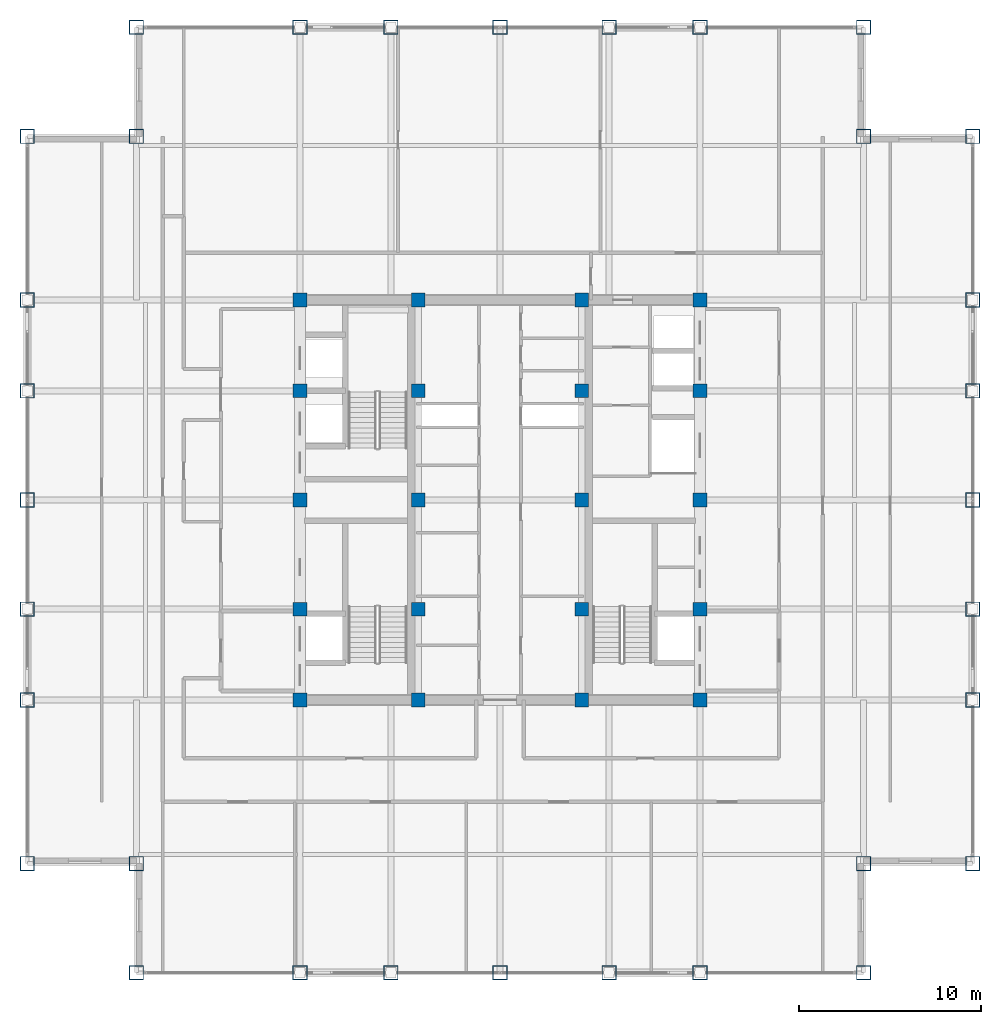
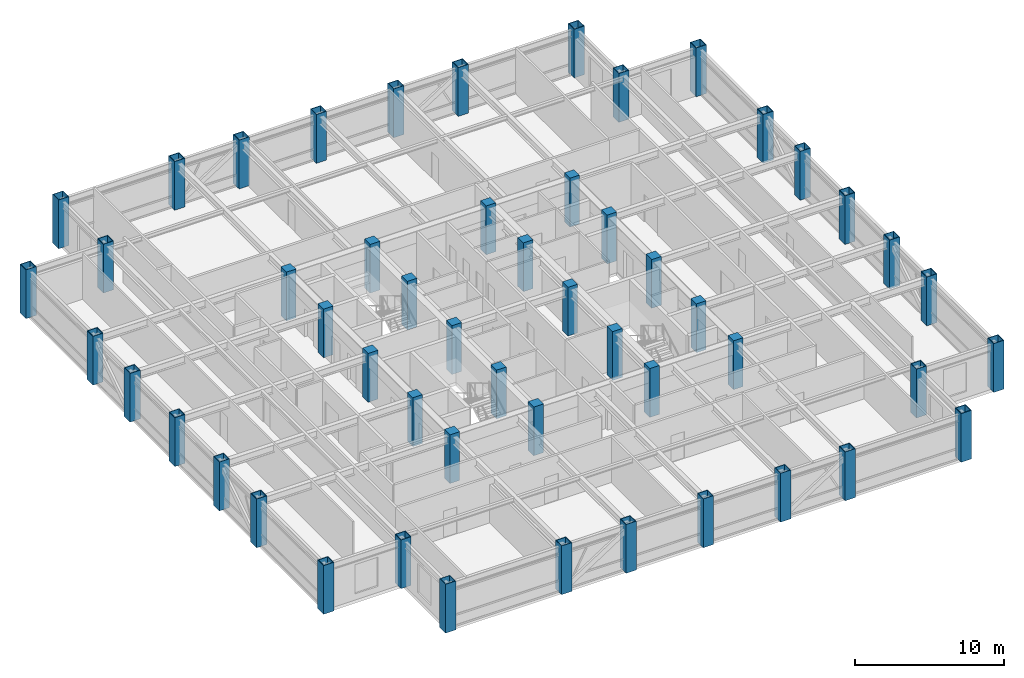
# One storey, part 1 of 28: 52 columns.
"""IFC4 building model written with IfcOpenShell, lengths in metres."""

from ifc_helpers import new_model, si_unit, direction, frame, origin, origin_2d, place, context, subcontext, project, spatial, rectangle, hollow_rectangle, extrude, source, transform, mapped, material, material_profile, profile_set, type_object, element, save


model = new_model("IFC4")

# Units and contexts
model_context = context("Model", 3, precision=1e-05, world=origin(), true_north=direction((0.0, 1.0)))
body_context = subcontext(model_context, "Body", "Model", "MODEL_VIEW")
ifc_project = project(units=[si_unit("LENGTHUNIT", "METRE"), si_unit("AREAUNIT", "SQUARE_METRE"), si_unit("VOLUMEUNIT", "CUBIC_METRE"), si_unit("PLANEANGLEUNIT", "RADIAN"), si_unit("MASSUNIT", "GRAM", prefix="KILO")], contexts=[model_context])

# Site, building, storey
site_placement = place(None, origin())
site = spatial("IfcSite", under=ifc_project, at=site_placement, CompositionType="ELEMENT")
building_placement = place(site_placement, origin())
building = spatial("IfcBuilding", under=site, at=building_placement, Name="Khorayat Bourse Tower", CompositionType="ELEMENT")
storey_placement = place(building_placement, frame((0.0, 0.0, 334.300048828125)))
storey = spatial("IfcBuildingStorey", under=building, at=storey_placement, Name="L79", CompositionType="ELEMENT", Elevation=334.300048828125)

# Columns
ifc_material_1 = material(Name="Concrete C52/65", Category="concrete")
ifc_material_profile_1 = material_profile(ifc_material_1, rectangle(XDim=0.75, YDim=0.75, at=origin_2d()), Name="RC 750x750")
ifc_profile_set_1 = profile_set([ifc_material_profile_1], Name="Concrete C52/65")
column_type_1 = type_object("IfcColumnType", Name="COL-CORE-750", PredefinedType="COLUMN", material=ifc_profile_set_1)
shared_shape_1 = source(origin(), body_context, "Body", "SweptSolid", [
    extrude(rectangle(XDim=0.75, YDim=0.75, at=origin_2d()), origin(), (0.0, 0.0, 1.0), 4.0),
])
for number, where, z_axis, x_axis, name in (
    (1, (-11.0, -11.0, 0.0), (0.0, 0.0, 1.0), (1.0, 0.0, 0.0), "L79 Column 013"),
    (2, (-11.0, -6.0, 0.0), (0.0, 0.0, 1.0), (1.0, 0.0, 0.0), "L79 Column 014"),
    (3, (-11.0, 0.0, 0.0), (0.0, 0.0, 1.0), (1.0, 0.0, 0.0), "L79 Column 015"),
    (4, (-11.0, 6.0, 0.0), (0.0, 0.0, 1.0), (1.0, 0.0, 0.0), "L79 Column 016"),
    (5, (-11.0, 11.0, 0.0), (0.0, 0.0, 1.0), (1.0, 0.0, 0.0), "L79 Column 017"),
    (6, (-4.5, -11.0, 0.0), (0.0, 0.0, 1.0), (1.0, 0.0, 0.0), "L79 Column 021"),
    (7, (-4.5, -6.0, 0.0), (0.0, 0.0, 1.0), (1.0, 0.0, 0.0), "L79 Column 022"),
    (8, (-4.5, 0.0, 0.0), (0.0, 0.0, 1.0), (1.0, 0.0, 0.0), "L79 Column 023"),
    (9, (-4.5, 6.0, 0.0), (0.0, 0.0, 1.0), (1.0, 0.0, 0.0), "L79 Column 024"),
    (10, (-4.5, 11.0, 0.0), (0.0, 0.0, 1.0), (1.0, 0.0, 0.0), "L79 Column 025"),
    (11, (4.5, -11.0, 0.0), (0.0, 0.0, 1.0), (1.0, 0.0, 0.0), "L79 Column 028"),
    (12, (4.5, -6.0, 0.0), (0.0, 0.0, 1.0), (1.0, 0.0, 0.0), "L79 Column 029"),
    (13, (4.5, 0.0, 0.0), (0.0, 0.0, 1.0), (1.0, 0.0, 0.0), "L79 Column 030"),
    (14, (4.5, 6.0, 0.0), (0.0, 0.0, 1.0), (1.0, 0.0, 0.0), "L79 Column 031"),
    (15, (4.5, 11.0, 0.0), (0.0, 0.0, 1.0), (1.0, 0.0, 0.0), "L79 Column 032"),
    (16, (11.0, -11.0, 0.0), (0.0, 0.0, 1.0), (1.0, 0.0, 0.0), "L79 Column 036"),
    (17, (11.0, -6.0, 0.0), (0.0, 0.0, 1.0), (1.0, 0.0, 0.0), "L79 Column 037"),
    (18, (11.0, 0.0, 0.0), (0.0, 0.0, 1.0), (1.0, 0.0, 0.0), "L79 Column 038"),
    (19, (11.0, 6.0, 0.0), (0.0, 0.0, 1.0), (1.0, 0.0, 0.0), "L79 Column 039"),
    (20, (11.0, 11.0, 0.0), (0.0, 0.0, 1.0), (1.0, 0.0, 0.0), "L79 Column 040"),
):
    element("IfcColumn", number, at=place(storey_placement, frame(where, z_axis=z_axis, x_axis=x_axis)), inside=storey, type_object=column_type_1, Name=name, PredefinedType="COLUMN", context=body_context, shape_type="MappedRepresentation", body=[
        mapped(shared_shape_1, transform((0.0, 0.0, 0.0), scale=1.0)),
    ])
ifc_material_2 = material(Name="Steel EN 10025-2 S355J2", Category="steel")
ifc_material_profile_2 = material_profile(ifc_material_2, hollow_rectangle(XDim=0.800048828125, YDim=0.800048828125, WallThickness=0.044921875, at=origin_2d()), Name="BOX 800x800x45")
ifc_profile_set_2 = profile_set([ifc_material_profile_2], Name="Steel EN 10025-2 S355J2")
column_type_2 = type_object("IfcColumnType", Name="COL-TUBE-800", PredefinedType="COLUMN", material=ifc_profile_set_2)
shared_shape_2 = source(origin(), body_context, "Body", "SweptSolid", [
    extrude(hollow_rectangle(XDim=0.800048828125, YDim=0.800048828125, WallThickness=0.044921875, at=origin_2d()), origin(), (0.0, 0.0, 1.0), 4.0),
])
for number, where, z_axis, x_axis, name in (
    (21, (-26.0, -20.0, 0.0), (0.0, 0.0, 1.0), (1.0, 0.0, 0.0), "L79 Column 001"),
    (22, (-26.0, -11.0, 0.0), (0.0, 0.0, 1.0), (1.0, 0.0, 0.0), "L79 Column 002"),
    (23, (-26.0, -6.0, 0.0), (0.0, 0.0, 1.0), (1.0, 0.0, 0.0), "L79 Column 003"),
    (24, (-26.0, 0.0, 0.0), (0.0, 0.0, 1.0), (1.0, 0.0, 0.0), "L79 Column 004"),
    (25, (-26.0, 6.0, 0.0), (0.0, 0.0, 1.0), (1.0, 0.0, 0.0), "L79 Column 005"),
    (26, (-26.0, 11.0, 0.0), (0.0, 0.0, 1.0), (1.0, 0.0, 0.0), "L79 Column 006"),
    (27, (-26.0, 20.0, 0.0), (0.0, 0.0, 1.0), (1.0, 0.0, 0.0), "L79 Column 007"),
    (28, (-20.0, -26.0, 0.0), (0.0, 0.0, 1.0), (1.0, 0.0, 0.0), "L79 Column 008"),
    (29, (-20.0, -20.0, 0.0), (0.0, 0.0, 1.0), (1.0, 0.0, 0.0), "L79 Column 009"),
    (30, (-20.0, 20.0, 0.0), (0.0, 0.0, 1.0), (1.0, 0.0, 0.0), "L79 Column 010"),
    (31, (-20.0, 26.0, 0.0), (0.0, 0.0, 1.0), (1.0, 0.0, 0.0), "L79 Column 011"),
    (32, (-11.0, -26.0, 0.0), (0.0, 0.0, 1.0), (1.0, 0.0, 0.0), "L79 Column 012"),
    (33, (-11.0, 26.0, 0.0), (0.0, 0.0, 1.0), (1.0, 0.0, 0.0), "L79 Column 018"),
    (34, (-6.0, -26.0, 0.0), (0.0, 0.0, 1.0), (1.0, 0.0, 0.0), "L79 Column 019"),
    (35, (-6.0, 26.0, 0.0), (0.0, 0.0, 1.0), (1.0, 0.0, 0.0), "L79 Column 020"),
    (36, (0.0, -26.0, 0.0), (0.0, 0.0, 1.0), (1.0, 0.0, 0.0), "L79 Column 026"),
    (37, (0.0, 26.0, 0.0), (0.0, 0.0, 1.0), (1.0, 0.0, 0.0), "L79 Column 027"),
    (38, (6.0, -26.0, 0.0), (0.0, 0.0, 1.0), (1.0, 0.0, 0.0), "L79 Column 033"),
    (39, (6.0, 26.0, 0.0), (0.0, 0.0, 1.0), (1.0, 0.0, 0.0), "L79 Column 034"),
    (40, (11.0, -26.0, 0.0), (0.0, 0.0, 1.0), (1.0, 0.0, 0.0), "L79 Column 035"),
    (41, (11.0, 26.0, 0.0), (0.0, 0.0, 1.0), (1.0, 0.0, 0.0), "L79 Column 041"),
    (42, (20.0, -26.0, 0.0), (0.0, 0.0, 1.0), (1.0, 0.0, 0.0), "L79 Column 042"),
    (43, (20.0, -20.0, 0.0), (0.0, 0.0, 1.0), (1.0, 0.0, 0.0), "L79 Column 043"),
    (44, (20.0, 20.0, 0.0), (0.0, 0.0, 1.0), (1.0, 0.0, 0.0), "L79 Column 044"),
    (45, (20.0, 26.0, 0.0), (0.0, 0.0, 1.0), (1.0, 0.0, 0.0), "L79 Column 045"),
    (46, (26.0, -20.0, 0.0), (0.0, 0.0, 1.0), (1.0, 0.0, 0.0), "L79 Column 046"),
    (47, (26.0, -11.0, 0.0), (0.0, 0.0, 1.0), (1.0, 0.0, 0.0), "L79 Column 047"),
    (48, (26.0, -6.0, 0.0), (0.0, 0.0, 1.0), (1.0, 0.0, 0.0), "L79 Column 048"),
    (49, (26.0, 0.0, 0.0), (0.0, 0.0, 1.0), (1.0, 0.0, 0.0), "L79 Column 049"),
    (50, (26.0, 6.0, 0.0), (0.0, 0.0, 1.0), (1.0, 0.0, 0.0), "L79 Column 050"),
    (51, (26.0, 11.0, 0.0), (0.0, 0.0, 1.0), (1.0, 0.0, 0.0), "L79 Column 051"),
    (52, (26.0, 20.0, 0.0), (0.0, 0.0, 1.0), (1.0, 0.0, 0.0), "L79 Column 052"),
):
    element("IfcColumn", number, at=place(storey_placement, frame(where, z_axis=z_axis, x_axis=x_axis)), inside=storey, type_object=column_type_2, Name=name, PredefinedType="COLUMN", context=body_context, shape_type="MappedRepresentation", body=[
        mapped(shared_shape_2, transform((0.0, 0.0, 0.0), scale=1.0)),
    ])

save(model, "model.ifc")
